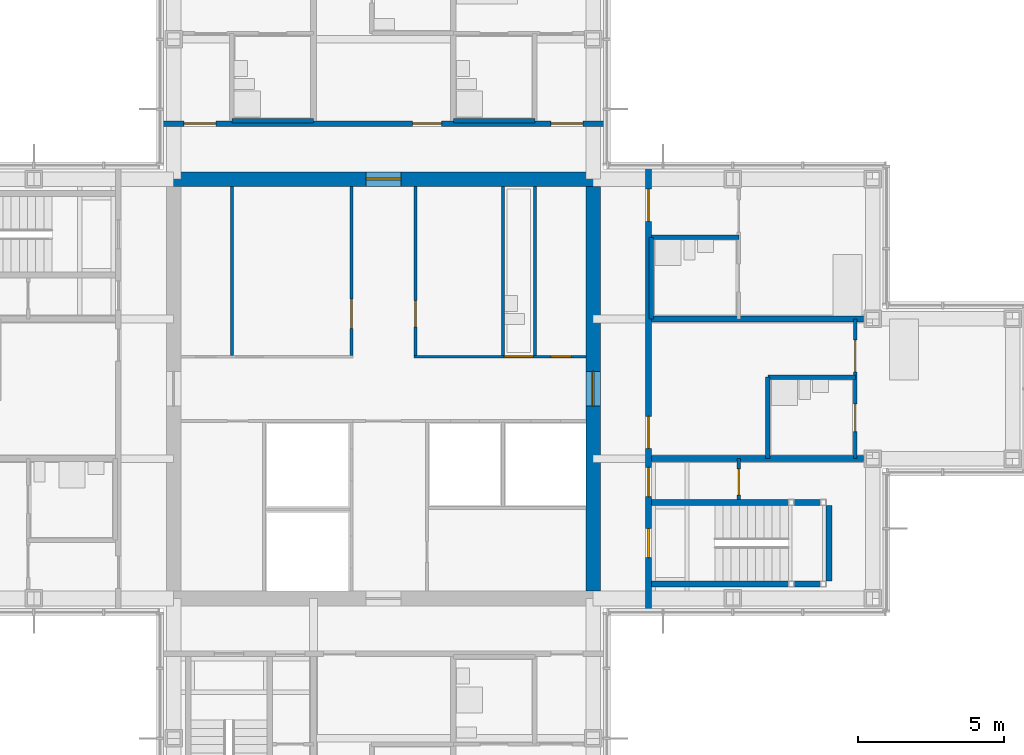
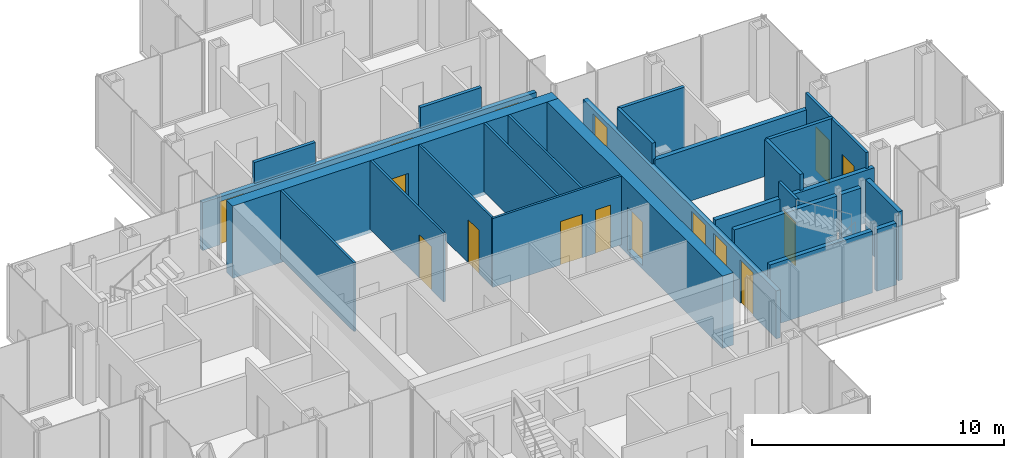
# One storey, part 13 of 17: 25 walls, 16 doors, 16 openings.
"""IFC4 building model written with IfcOpenShell, lengths in metres."""

from ifc_helpers import new_model, si_unit, direction, frame, frame_2d, origin, place, context, subcontext, project, spatial, rectangle, extrude, material, layer, layer_set, type_object, element, fill, save


model = new_model("IFC4")

# Units and contexts
model_context = context("Model", 3, precision=1e-05, world=origin(), true_north=direction((0.0, 1.0)))
body_context = subcontext(model_context, "Body", "Model", "MODEL_VIEW")
ifc_project = project(units=[si_unit("LENGTHUNIT", "METRE"), si_unit("AREAUNIT", "SQUARE_METRE"), si_unit("VOLUMEUNIT", "CUBIC_METRE"), si_unit("PLANEANGLEUNIT", "RADIAN"), si_unit("MASSUNIT", "GRAM", prefix="KILO")], contexts=[model_context])

# Site, building, storey
site_placement = place(None, origin())
site = spatial("IfcSite", under=ifc_project, at=site_placement, CompositionType="ELEMENT")
building_placement = place(site_placement, origin())
building = spatial("IfcBuilding", under=site, at=building_placement, Name="Kvirike Care Tower", CompositionType="ELEMENT")
storey_placement = place(building_placement, frame((0.0, 0.0, 183.0)))
storey = spatial("IfcBuildingStorey", under=building, at=storey_placement, Name="L50", CompositionType="ELEMENT", Elevation=183.0)

# Walls
ifc_material_1 = material(Name="Moisture-resistant board partition", Category="gypsum")
ifc_layer_1 = layer(ifc_material_1, 0.14990234375)
ifc_layer_set_1 = layer_set([ifc_layer_1], Name="BATHROOM WALL 150")
wall_type_1 = type_object("IfcWallType", Name="BATHROOM WALL 150", PredefinedType="PARTITIONING", material=ifc_layer_set_1)
for number, where, z_axis, x_axis, name in (
    (1, (26.800048828125, 45.199951171875, 0.0), (0.0, 0.0, 1.0), (-1.0, 0.0, 0.0), "Bathroom Wall 150 L50"),
    (2, (19.199951171875, 45.199951171875, 0.0), (0.0, 0.0, 1.0), (-1.0, 0.0, 0.0), "Bathroom Wall 150 L50"),
):
    element("IfcWall", number, at=place(storey_placement, frame(where, z_axis=z_axis, x_axis=x_axis)), inside=storey, type_object=wall_type_1, Name=name, PredefinedType="PARTITIONING", context=body_context, shape_type="SweptSolid", body=[
        extrude(rectangle(XDim=2.800048828125, YDim=0.14990234375, at=frame_2d((1.39990234375, 0.0))), origin(), (0.0, 0.0, 1.0), 3.330078125),
    ])
wall_1_placement = place(storey_placement, frame((37.800048828125, 36.39990234375, 0.0), z_axis=(0.0, 0.0, 1.0), x_axis=(-1.0, 0.0, 0.0)))
element("IfcWall", 3, at=wall_1_placement, inside=storey, type_object=wall_type_1, Name="Bathroom Wall 150 L50", PredefinedType="PARTITIONING", context=body_context, shape_type="SweptSolid", body=[
    extrude(rectangle(XDim=3.0, YDim=0.14990234375, at=frame_2d((1.5, 0.0))), origin(), (0.0, 0.0, 1.0), 3.330078125),
])
wall_2_placement = place(storey_placement, frame((34.800048828125, 33.60009765625, 0.0), z_axis=(0.0, 0.0, 1.0), x_axis=(0.0, 1.0, 0.0)))
element("IfcWall", 4, at=wall_2_placement, inside=storey, type_object=wall_type_1, Name="Bathroom Wall 150 L50", PredefinedType="PARTITIONING", context=body_context, shape_type="SweptSolid", body=[
    extrude(rectangle(XDim=2.7998046875, YDim=0.14990234375, at=frame_2d((1.39990234375, 0.0))), origin(), (0.0, 0.0, 1.0), 3.330078125),
])
wall_3_placement = place(storey_placement, frame((33.800048828125, 41.199951171875, 0.0), z_axis=(0.0, 0.0, 1.0), x_axis=(-1.0, 0.0, 0.0)))
element("IfcWall", 5, at=wall_3_placement, inside=storey, type_object=wall_type_1, Name="Bathroom Wall 150 L50", PredefinedType="PARTITIONING", context=body_context, shape_type="SweptSolid", body=[
    extrude(rectangle(XDim=3.0, YDim=0.14990234375, at=frame_2d((1.5, 0.0))), origin(), (0.0, 0.0, 1.0), 3.330078125),
])
wall_4_placement = place(storey_placement, frame((30.800048828125, 38.39990234375, 0.0), z_axis=(0.0, 0.0, 1.0), x_axis=(0.0, 1.0, 0.0)))
element("IfcWall", 6, at=wall_4_placement, inside=storey, type_object=wall_type_1, Name="Bathroom Wall 150 L50", PredefinedType="PARTITIONING", context=body_context, shape_type="SweptSolid", body=[
    extrude(rectangle(XDim=2.800048828125, YDim=0.14990234375, at=frame_2d((1.39990234375, 0.0))), origin(), (0.0, 0.0, 1.0), 3.330078125),
])

# Wall, opening, door
ifc_material_2 = material(Name="Concrete C45/55", Category="concrete")
ifc_layer_2 = layer(ifc_material_2, 0.5)
ifc_layer_set_2 = layer_set([ifc_layer_2], Name="CORE WALL 500 C45-55")
wall_type_2 = type_object("IfcWallType", Name="CORE WALL 500 C45-55", PredefinedType="SHEAR", material=ifc_layer_set_2)
wall_5_placement = place(storey_placement, frame((29.050048828125, 43.199951171875, -0.169921875), z_axis=(0.0, 0.0, 1.0), x_axis=(-1.0, 0.0, 0.0)))
wall_5 = element("IfcWall", 7, at=wall_5_placement, inside=storey, type_object=wall_type_2, Name="Core wall N L50", PredefinedType="SHEAR", context=body_context, shape_type="SweptSolid", body=[
    extrude(rectangle(XDim=14.900146484375, YDim=0.5, at=frame_2d((7.4501953125, 0.0))), origin(), (0.0, 0.0, 1.0), 3.5),
])
opening_1_placement = place(wall_5_placement, frame((6.85009765625, 0.0, 0.169921875)))
opening_1 = element("IfcOpeningElement", 8, at=opening_1_placement, cuts=wall_5, Name="Opening 50-053", PredefinedType="OPENING", context=body_context, shape_type="SweptSolid", body=[
    extrude(rectangle(XDim=1.199951171875, YDim=2.10009765625, at=frame_2d((0.60009765625, 1.050048828125))), frame((0.0, 0.260498046875, 0.0), z_axis=(0.0, -1.0, 0.0), x_axis=(1.0, 0.0, 0.0)), (0.0, 0.0, 1.0), 0.52099609375),
])
ifc_material_3 = material(Name="Timber door set", Category="wood")
door_type_1 = type_object("IfcDoorType", Name="CORE DOOR 1200", OperationType="SINGLE_SWING_LEFT", PredefinedType="DOOR", material=ifc_material_3)
door_1_placement = place(opening_1_placement, origin())
door_1 = element("IfcDoor", 9, at=door_1_placement, inside=storey, type_object=door_type_1, Name="Core door N L50", OperationType="SINGLE_SWING_LEFT", OverallHeight=2.10009765625, OverallWidth=1.199951171875, PredefinedType="DOOR", context=body_context, shape_type="SweptSolid", body=[
    extrude(rectangle(XDim=1.199951171875, YDim=2.10009765625, at=frame_2d((0.60009765625, 1.050048828125))), frame((0.0, 0.02685546875, 0.0), z_axis=(0.0, -1.0, 0.0), x_axis=(1.0, 0.0, 0.0)), (0.0, 0.0, 1.0), 0.053955078125),
])
fill(opening_1, door_1)

wall_6_placement = place(storey_placement, frame((28.800048828125, 29.050048828125, -0.169921875), z_axis=(0.0, 0.0, 1.0), x_axis=(0.0, 1.0, 0.0)))
wall_6 = element("IfcWall", 10, at=wall_6_placement, inside=storey, type_object=wall_type_2, Name="Core wall E L50", PredefinedType="SHEAR", context=body_context, shape_type="SweptSolid", body=[
    extrude(rectangle(XDim=13.89990234375, YDim=0.5, at=frame_2d((6.949951171875, 0.0))), origin(), (0.0, 0.0, 1.0), 3.5),
])
opening_2_placement = place(wall_6_placement, frame((6.35009765625, 0.0, 0.169921875)))
opening_2 = element("IfcOpeningElement", 11, at=opening_2_placement, cuts=wall_6, Name="Opening 50-052", PredefinedType="OPENING", context=body_context, shape_type="SweptSolid", body=[
    extrude(rectangle(XDim=1.199951171875, YDim=2.10009765625, at=frame_2d((0.60009765625, 1.050048828125))), frame((0.0, 0.260498046875, 0.0), z_axis=(0.0, -1.0, 0.0), x_axis=(1.0, 0.0, 0.0)), (0.0, 0.0, 1.0), 0.52099609375),
])
door_2_placement = place(opening_2_placement, origin())
door_2 = element("IfcDoor", 12, at=door_2_placement, inside=storey, type_object=door_type_1, Name="Core door E L50", OperationType="SINGLE_SWING_LEFT", OverallHeight=2.10009765625, OverallWidth=1.199951171875, PredefinedType="DOOR", context=body_context, shape_type="SweptSolid", body=[
    extrude(rectangle(XDim=1.199951171875, YDim=2.10009765625, at=frame_2d((0.60009765625, 1.050048828125))), frame((0.0, 0.02685546875, 0.0), z_axis=(0.0, -1.0, 0.0), x_axis=(1.0, 0.0, 0.0)), (0.0, 0.0, 1.0), 0.053955078125),
])
fill(opening_2, door_2)

# Wall, openings, doors
ifc_material_4 = material(Name="Plasterboard corridor wall", Category="gypsum")
ifc_layer_3 = layer(ifc_material_4, 0.199951171875)
ifc_layer_set_3 = layer_set([ifc_layer_3], Name="CORRIDOR WALL 200")
wall_type_3 = type_object("IfcWallType", Name="CORRIDOR WALL 200", PredefinedType="PARTITIONING", material=ifc_layer_set_3)
wall_7_placement = place(storey_placement, frame((29.25, 45.10009765625, 0.0), z_axis=(0.0, 0.0, 1.0), x_axis=(-1.0, 0.0, 0.0)))
wall_7 = element("IfcWall", 13, at=wall_7_placement, inside=storey, type_object=wall_type_3, Name="Corridor Wall 200 L50", PredefinedType="PARTITIONING", context=body_context, shape_type="SweptSolid", body=[
    extrude(rectangle(XDim=15.300048828125, YDim=0.199951171875, at=frame_2d((7.64990234375, 0.0))), origin(), (0.0, 0.0, 1.0), 2.320068359375),
])
opening_3_placement = place(wall_7_placement, frame((0.800048828125, 0.0, 0.0)))
opening_3 = element("IfcOpeningElement", 14, at=opening_3_placement, cuts=wall_7, Name="Opening 50-025", PredefinedType="OPENING", context=body_context, shape_type="SweptSolid", body=[
    extrude(rectangle(XDim=1.10009765625, YDim=2.10009765625, at=frame_2d((0.550048828125, 1.050048828125))), frame((0.0, 0.110595703125, 0.0), z_axis=(0.0, -1.0, 0.0), x_axis=(1.0, 0.0, 0.0)), (0.0, 0.0, 1.0), 0.220947265625),
])
opening_4_placement = place(wall_7_placement, frame((5.64990234375, 0.0, 0.0)))
opening_4 = element("IfcOpeningElement", 15, at=opening_4_placement, cuts=wall_7, Name="Opening 50-026", PredefinedType="OPENING", context=body_context, shape_type="SweptSolid", body=[
    extrude(rectangle(XDim=1.0, YDim=2.10009765625, at=frame_2d((0.5, 1.050048828125))), frame((0.0, 0.110595703125, 0.0), z_axis=(0.0, -1.0, 0.0), x_axis=(1.0, 0.0, 0.0)), (0.0, 0.0, 1.0), 0.220947265625),
])
opening_5_placement = place(wall_7_placement, frame((13.39990234375, 0.0, 0.0)))
opening_5 = element("IfcOpeningElement", 16, at=opening_5_placement, cuts=wall_7, Name="Opening 50-027", PredefinedType="OPENING", context=body_context, shape_type="SweptSolid", body=[
    extrude(rectangle(XDim=1.10009765625, YDim=2.10009765625, at=frame_2d((0.550048828125, 1.050048828125))), frame((0.0, 0.110595703125, 0.0), z_axis=(0.0, -1.0, 0.0), x_axis=(1.0, 0.0, 0.0)), (0.0, 0.0, 1.0), 0.220947265625),
])
ifc_material_5 = material(Name="Timber door set", Category="wood")
door_type_2 = type_object("IfcDoorType", Name="BEDROOM ENTRANCE DOOR 1100", OperationType="SINGLE_SWING_LEFT", PredefinedType="DOOR", material=ifc_material_5)
door_3_placement = place(opening_3_placement, frame((1.10009765625, 0.0, 0.0), z_axis=(0.0, 0.0, 1.0), x_axis=(-1.0, 0.0, 0.0)))
door_3 = element("IfcDoor", 17, at=door_3_placement, inside=storey, type_object=door_type_2, Name="Memory care bedroom entrance", OperationType="SINGLE_SWING_LEFT", OverallHeight=2.10009765625, OverallWidth=1.10009765625, PredefinedType="DOOR", context=body_context, shape_type="SweptSolid", body=[
    extrude(rectangle(XDim=1.10009765625, YDim=2.10009765625, at=frame_2d((0.550048828125, 1.050048828125))), frame((0.0, 0.02685546875, 0.0), z_axis=(0.0, -1.0, 0.0), x_axis=(1.0, 0.0, 0.0)), (0.0, 0.0, 1.0), 0.053955078125),
])
fill(opening_3, door_3)
door_4_placement = place(opening_5_placement, frame((1.10009765625, 0.0, 0.0), z_axis=(0.0, 0.0, 1.0), x_axis=(-1.0, 0.0, 0.0)))
door_4 = element("IfcDoor", 18, at=door_4_placement, inside=storey, type_object=door_type_2, Name="Memory care bedroom entrance", OperationType="SINGLE_SWING_RIGHT", OverallHeight=2.10009765625, OverallWidth=1.10009765625, PredefinedType="DOOR", context=body_context, shape_type="SweptSolid", body=[
    extrude(rectangle(XDim=1.10009765625, YDim=2.10009765625, at=frame_2d((0.550048828125, 1.050048828125))), frame((0.0, 0.02685546875, 0.0), z_axis=(0.0, -1.0, 0.0), x_axis=(1.0, 0.0, 0.0)), (0.0, 0.0, 1.0), 0.053955078125),
])
fill(opening_5, door_4)
ifc_material_6 = material(Name="Timber door set", Category="wood")
door_type_3 = type_object("IfcDoorType", Name="FLAT ENTRANCE DOOR 1000", OperationType="SINGLE_SWING_LEFT", PredefinedType="DOOR", material=ifc_material_6)
door_5_placement = place(opening_4_placement, frame((1.0, 0.0, 0.0), z_axis=(0.0, 0.0, 1.0), x_axis=(-1.0, 0.0, 0.0)))
door_5 = element("IfcDoor", 19, at=door_5_placement, inside=storey, type_object=door_type_3, Name="Sensory garden room entrance", OperationType="SINGLE_SWING_LEFT", OverallHeight=2.10009765625, OverallWidth=1.0, PredefinedType="DOOR", context=body_context, shape_type="SweptSolid", body=[
    extrude(rectangle(XDim=1.0, YDim=2.10009765625, at=frame_2d((0.5, 1.050048828125))), frame((0.0, 0.02685546875, 0.0), z_axis=(0.0, -1.0, 0.0), x_axis=(1.0, 0.0, 0.0)), (0.0, 0.0, 1.0), 0.053955078125),
])
fill(opening_4, door_5)

wall_8_placement = place(storey_placement, frame((30.699951171875, 28.35009765625, 0.0), z_axis=(0.0, 0.0, 1.0), x_axis=(0.0, 1.0, 0.0)))
wall_8 = element("IfcWall", 20, at=wall_8_placement, inside=storey, type_object=wall_type_3, Name="Corridor Wall 200 L50", PredefinedType="PARTITIONING", context=body_context, shape_type="SweptSolid", body=[
    extrude(rectangle(XDim=15.2998046875, YDim=0.199951171875, at=frame_2d((7.64990234375, 0.0))), origin(), (0.0, 0.0, 1.0), 2.320068359375),
])
opening_6_placement = place(wall_8_placement, frame((1.85009765625, 0.0, 0.0)))
opening_6 = element("IfcOpeningElement", 21, at=opening_6_placement, cuts=wall_8, Name="Opening 50-033", PredefinedType="OPENING", context=body_context, shape_type="SweptSolid", body=[
    extrude(rectangle(XDim=1.0, YDim=2.10009765625, at=frame_2d((0.5, 1.050048828125))), frame((0.0, 0.110595703125, 0.0), z_axis=(0.0, -1.0, 0.0), x_axis=(1.0, 0.0, 0.0)), (0.0, 0.0, 1.0), 0.220947265625),
])
opening_7_placement = place(wall_8_placement, frame((3.949951171875, 0.0, 0.0)))
opening_7 = element("IfcOpeningElement", 22, at=opening_7_placement, cuts=wall_8, Name="Opening 50-034", PredefinedType="OPENING", context=body_context, shape_type="SweptSolid", body=[
    extrude(rectangle(XDim=1.0, YDim=2.10009765625, at=frame_2d((0.5, 1.050048828125))), frame((0.0, 0.110595703125, 0.0), z_axis=(0.0, -1.0, 0.0), x_axis=(1.0, 0.0, 0.0)), (0.0, 0.0, 1.0), 0.220947265625),
])
opening_8_placement = place(wall_8_placement, frame((5.60009765625, 0.0, 0.0)))
opening_8 = element("IfcOpeningElement", 23, at=opening_8_placement, cuts=wall_8, Name="Opening 50-035", PredefinedType="OPENING", context=body_context, shape_type="SweptSolid", body=[
    extrude(rectangle(XDim=1.10009765625, YDim=2.10009765625, at=frame_2d((0.550048828125, 1.050048828125))), frame((0.0, 0.110595703125, 0.0), z_axis=(0.0, -1.0, 0.0), x_axis=(1.0, 0.0, 0.0)), (0.0, 0.0, 1.0), 0.220947265625),
])
opening_9_placement = place(wall_8_placement, frame((13.39990234375, 0.0, 0.0)))
opening_9 = element("IfcOpeningElement", 24, at=opening_9_placement, cuts=wall_8, Name="Opening 50-036", PredefinedType="OPENING", context=body_context, shape_type="SweptSolid", body=[
    extrude(rectangle(XDim=1.10009765625, YDim=2.10009765625, at=frame_2d((0.550048828125, 1.050048828125))), frame((0.0, 0.110595703125, 0.0), z_axis=(0.0, -1.0, 0.0), x_axis=(1.0, 0.0, 0.0)), (0.0, 0.0, 1.0), 0.220947265625),
])
door_6_placement = place(opening_8_placement, frame((1.10009765625, 0.0, 0.0), z_axis=(0.0, 0.0, 1.0), x_axis=(-1.0, 0.0, 0.0)))
door_6 = element("IfcDoor", 25, at=door_6_placement, inside=storey, type_object=door_type_2, Name="Memory care bedroom entrance", OperationType="SINGLE_SWING_LEFT", OverallHeight=2.10009765625, OverallWidth=1.10009765625, PredefinedType="DOOR", context=body_context, shape_type="SweptSolid", body=[
    extrude(rectangle(XDim=1.10009765625, YDim=2.10009765625, at=frame_2d((0.550048828125, 1.050048828125))), frame((0.0, 0.02685546875, 0.0), z_axis=(0.0, -1.0, 0.0), x_axis=(1.0, 0.0, 0.0)), (0.0, 0.0, 1.0), 0.053955078125),
])
fill(opening_8, door_6)
door_7_placement = place(opening_9_placement, frame((1.10009765625, 0.0, 0.0), z_axis=(0.0, 0.0, 1.0), x_axis=(-1.0, 0.0, 0.0)))
door_7 = element("IfcDoor", 26, at=door_7_placement, inside=storey, type_object=door_type_2, Name="Memory care bedroom entrance", OperationType="SINGLE_SWING_RIGHT", OverallHeight=2.10009765625, OverallWidth=1.10009765625, PredefinedType="DOOR", context=body_context, shape_type="SweptSolid", body=[
    extrude(rectangle(XDim=1.10009765625, YDim=2.10009765625, at=frame_2d((0.550048828125, 1.050048828125))), frame((0.0, 0.02685546875, 0.0), z_axis=(0.0, -1.0, 0.0), x_axis=(1.0, 0.0, 0.0)), (0.0, 0.0, 1.0), 0.053955078125),
])
fill(opening_9, door_7)
door_8_placement = place(opening_7_placement, frame((1.0, 0.0, 0.0), z_axis=(0.0, 0.0, 1.0), x_axis=(-1.0, 0.0, 0.0)))
door_8 = element("IfcDoor", 27, at=door_8_placement, inside=storey, type_object=door_type_3, Name="Activity room entrance", OperationType="SINGLE_SWING_LEFT", OverallHeight=2.10009765625, OverallWidth=1.0, PredefinedType="DOOR", context=body_context, shape_type="SweptSolid", body=[
    extrude(rectangle(XDim=1.0, YDim=2.10009765625, at=frame_2d((0.5, 1.050048828125))), frame((0.0, 0.02685546875, 0.0), z_axis=(0.0, -1.0, 0.0), x_axis=(1.0, 0.0, 0.0)), (0.0, 0.0, 1.0), 0.053955078125),
])
fill(opening_7, door_8)
ifc_material_7 = material(Name="Timber door set", Category="wood")
door_type_4 = type_object("IfcDoorType", Name="STAIR DOOR 1000", OperationType="SINGLE_SWING_LEFT", PredefinedType="DOOR", material=ifc_material_7)
door_9_placement = place(opening_6_placement, frame((1.0, 0.0, 0.0), z_axis=(0.0, 0.0, 1.0), x_axis=(-1.0, 0.0, 0.0)))
door_9 = element("IfcDoor", 28, at=door_9_placement, inside=storey, type_object=door_type_4, Name="Stair 2 door", OperationType="SINGLE_SWING_LEFT", OverallHeight=2.10009765625, OverallWidth=1.0, PredefinedType="DOOR", context=body_context, shape_type="SweptSolid", body=[
    extrude(rectangle(XDim=1.0, YDim=2.10009765625, at=frame_2d((0.5, 1.050048828125))), frame((0.0, 0.031982421875, 0.0), z_axis=(0.0, -1.0, 0.0), x_axis=(1.0, 0.0, 0.0)), (0.0, 0.0, 1.0), 0.06396484375),
])
fill(opening_6, door_9)

# Wall, opening, door
ifc_material_8 = material(Name="Plasterboard partition", Category="gypsum")
ifc_layer_4 = layer(ifc_material_8, 0.1201171875)
ifc_layer_set_4 = layer_set([ifc_layer_4], Name="PARTITION 120")
wall_type_4 = type_object("IfcWallType", Name="PARTITION 120", PredefinedType="PARTITIONING", material=ifc_layer_set_4)
wall_9_placement = place(storey_placement, frame((33.800048828125, 32.199951171875, 0.0), z_axis=(0.0, 0.0, 1.0), x_axis=(0.0, 1.0, 0.0)))
wall_9 = element("IfcWall", 29, at=wall_9_placement, inside=storey, type_object=wall_type_4, Name="Partition 120 L50", PredefinedType="PARTITIONING", context=body_context, shape_type="SweptSolid", body=[
    extrude(rectangle(XDim=1.400146484375, YDim=0.1201171875, at=frame_2d((0.7001953125, 0.0))), origin(), (0.0, 0.0, 1.0), 3.330078125),
])
opening_10_placement = place(wall_9_placement, frame((0.14990234375, 0.0, 0.0)))
opening_10 = element("IfcOpeningElement", 30, at=opening_10_placement, cuts=wall_9, Name="Opening 50-028", PredefinedType="OPENING", context=body_context, shape_type="SweptSolid", body=[
    extrude(rectangle(XDim=0.89990234375, YDim=2.10009765625, at=frame_2d((0.449951171875, 1.050048828125))), frame((0.0, 0.070556640625, 0.0), z_axis=(0.0, -1.0, 0.0), x_axis=(1.0, 0.0, 0.0)), (0.0, 0.0, 1.0), 0.14111328125),
])
ifc_material_9 = material(Name="Timber door set", Category="wood")
door_type_5 = type_object("IfcDoorType", Name="INTERNAL DOOR 900", OperationType="SINGLE_SWING_LEFT", PredefinedType="DOOR", material=ifc_material_9)
door_10_placement = place(opening_10_placement, origin())
door_10 = element("IfcDoor", 31, at=door_10_placement, inside=storey, type_object=door_type_5, Name="Activity room door", OperationType="SINGLE_SWING_RIGHT", OverallHeight=2.10009765625, OverallWidth=0.89990234375, PredefinedType="DOOR", context=body_context, shape_type="SweptSolid", body=[
    extrude(rectangle(XDim=0.89990234375, YDim=2.10009765625, at=frame_2d((0.449951171875, 1.050048828125))), frame((0.0, 0.02197265625, 0.0), z_axis=(0.0, -1.0, 0.0), x_axis=(1.0, 0.0, 0.0)), (0.0, 0.0, 1.0), 0.0439453125),
])
fill(opening_10, door_10)

# Wall, openings, doors
wall_10_placement = place(storey_placement, frame((37.800048828125, 33.60009765625, 0.0), z_axis=(0.0, 0.0, 1.0), x_axis=(0.0, 1.0, 0.0)))
wall_10 = element("IfcWall", 32, at=wall_10_placement, inside=storey, type_object=wall_type_4, Name="Partition 120 L50", PredefinedType="PARTITIONING", context=body_context, shape_type="SweptSolid", body=[
    extrude(rectangle(XDim=4.7998046875, YDim=0.1201171875, at=frame_2d((2.39990234375, 0.0))), origin(), (0.0, 0.0, 1.0), 3.330078125),
])
opening_11_placement = place(wall_10_placement, frame((2.97509765625, 0.0, 0.0)))
opening_11 = element("IfcOpeningElement", 33, at=opening_11_placement, cuts=wall_10, Name="Opening 50-029", PredefinedType="OPENING", context=body_context, shape_type="SweptSolid", body=[
    extrude(rectangle(XDim=1.10009765625, YDim=2.10009765625, at=frame_2d((0.550048828125, 1.050048828125))), frame((0.0, 0.070556640625, 0.0), z_axis=(0.0, -1.0, 0.0), x_axis=(1.0, 0.0, 0.0)), (0.0, 0.0, 1.0), 0.14111328125),
])
opening_12_placement = place(wall_10_placement, frame((0.925048828125, 0.0, 0.0)))
opening_12 = element("IfcOpeningElement", 34, at=opening_12_placement, cuts=wall_10, Name="Opening 50-030", PredefinedType="OPENING", context=body_context, shape_type="SweptSolid", body=[
    extrude(rectangle(XDim=0.949951171875, YDim=2.10009765625, at=frame_2d((0.47509765625, 1.050048828125))), frame((0.0, 0.070556640625, 0.0), z_axis=(0.0, -1.0, 0.0), x_axis=(1.0, 0.0, 0.0)), (0.0, 0.0, 1.0), 0.14111328125),
])
ifc_material_10 = material(Name="Timber door set", Category="wood")
door_type_6 = type_object("IfcDoorType", Name="BEDROOM DOOR 1100", OperationType="SINGLE_SWING_LEFT", PredefinedType="DOOR", material=ifc_material_10)
door_11_placement = place(opening_11_placement, origin())
door_11 = element("IfcDoor", 35, at=door_11_placement, inside=storey, type_object=door_type_6, Name="Memory care bedroom door", OperationType="SINGLE_SWING_RIGHT", OverallHeight=2.10009765625, OverallWidth=1.10009765625, PredefinedType="DOOR", context=body_context, shape_type="SweptSolid", body=[
    extrude(rectangle(XDim=1.10009765625, YDim=2.10009765625, at=frame_2d((0.550048828125, 1.050048828125))), frame((0.0, 0.02197265625, 0.0), z_axis=(0.0, -1.0, 0.0), x_axis=(1.0, 0.0, 0.0)), (0.0, 0.0, 1.0), 0.0439453125),
])
fill(opening_11, door_11)
ifc_material_11 = material(Name="Timber door set", Category="wood")
door_type_7 = type_object("IfcDoorType", Name="EN-SUITE SLIDING DOOR 950", OperationType="SLIDING_TO_LEFT", PredefinedType="DOOR", material=ifc_material_11)
door_12_placement = place(opening_12_placement, origin())
door_12 = element("IfcDoor", 36, at=door_12_placement, inside=storey, type_object=door_type_7, Name="En-suite door", OperationType="SLIDING_TO_RIGHT", OverallHeight=2.10009765625, OverallWidth=0.949951171875, PredefinedType="DOOR", context=body_context, shape_type="SweptSolid", body=[
    extrude(rectangle(XDim=0.949951171875, YDim=2.10009765625, at=frame_2d((0.47509765625, 1.050048828125))), frame((0.0, 0.02197265625, 0.0), z_axis=(0.0, -1.0, 0.0), x_axis=(1.0, 0.0, 0.0)), (0.0, 0.0, 1.0), 0.0439453125),
])
fill(opening_12, door_12)

# Walls
ifc_material_12 = material(Name="Plasterboard party wall", Category="gypsum")
ifc_layer_5 = layer(ifc_material_12, 0.199951171875)
ifc_layer_set_5 = layer_set([ifc_layer_5], Name="PARTY WALL 200")
wall_type_5 = type_object("IfcWallType", Name="PARTY WALL 200", PredefinedType="PARTITIONING", material=ifc_layer_set_5)
for number, where, z_axis, x_axis, name in (
    (37, (38.080078125, 33.60009765625, 0.0), (0.0, 0.0, 1.0), (-1.0, 0.0, 0.0), "Party Wall 200 L50"),
    (38, (38.080078125, 38.39990234375, 0.0), (0.0, 0.0, 1.0), (-1.0, 0.0, 0.0), "Party Wall 200 L50"),
):
    element("IfcWall", number, at=place(storey_placement, frame(where, z_axis=z_axis, x_axis=x_axis)), inside=storey, type_object=wall_type_5, Name=name, PredefinedType="PARTITIONING", context=body_context, shape_type="SweptSolid", body=[
        extrude(rectangle(XDim=7.280029296875, YDim=0.199951171875, at=frame_2d((3.64013671875, 0.0))), origin(), (0.0, 0.0, 1.0), 2.550048828125),
    ])
ifc_material_13 = material(Name="Gypsum shaft wall system", Category="gypsum")
ifc_layer_6 = layer(ifc_material_13, 0.10009765625)
ifc_layer_set_6 = layer_set([ifc_layer_6], Name="SHAFT WALL 100")
wall_type_6 = type_object("IfcWallType", Name="SHAFT WALL 100", PredefinedType="SOLIDWALL", material=ifc_layer_set_6)
for number, where, z_axis, x_axis, name in (
    (39, (16.39990234375, 37.14990234375, 0.0), (0.0, 0.0, 1.0), (0.0, 1.0, 0.0), "Shaft Wall 100 L50"),
    (40, (26.800048828125, 37.14990234375, 0.0), (0.0, 0.0, 1.0), (0.0, 1.0, 0.0), "Shaft Wall 100 L50"),
):
    element("IfcWall", number, at=place(storey_placement, frame(where, z_axis=z_axis, x_axis=x_axis)), inside=storey, type_object=wall_type_6, Name=name, PredefinedType="SOLIDWALL", context=body_context, shape_type="SweptSolid", body=[
        extrude(rectangle(XDim=5.800048828125, YDim=0.10009765625, at=frame_2d((2.89990234375, 0.0))), origin(), (0.0, 0.0, 1.0), 3.330078125),
    ])

# Wall, opening, door
wall_11_placement = place(storey_placement, frame((20.5, 37.14990234375, 0.0), z_axis=(0.0, 0.0, 1.0), x_axis=(0.0, 1.0, 0.0)))
wall_11 = element("IfcWall", 41, at=wall_11_placement, inside=storey, type_object=wall_type_6, Name="Shaft Wall 100 L50", PredefinedType="SOLIDWALL", context=body_context, shape_type="SweptSolid", body=[
    extrude(rectangle(XDim=5.800048828125, YDim=0.10009765625, at=frame_2d((2.89990234375, 0.0))), origin(), (0.0, 0.0, 1.0), 3.330078125),
])
opening_13_placement = place(wall_11_placement, frame((0.925048828125, 0.0, 0.0)))
opening_13 = element("IfcOpeningElement", 42, at=opening_13_placement, cuts=wall_11, Name="Opening 50-039", PredefinedType="OPENING", context=body_context, shape_type="SweptSolid", body=[
    extrude(rectangle(XDim=1.0, YDim=2.10009765625, at=frame_2d((0.5, 1.050048828125))), frame((0.0, 0.060546875, 0.0), z_axis=(0.0, -1.0, 0.0), x_axis=(1.0, 0.0, 0.0)), (0.0, 0.0, 1.0), 0.12109375),
])
ifc_material_14 = material(Name="Timber door set", Category="wood")
door_type_8 = type_object("IfcDoorType", Name="WC DOOR 1000", OperationType="SINGLE_SWING_LEFT", PredefinedType="DOOR", material=ifc_material_14)
door_13_placement = place(opening_13_placement, origin())
door_13 = element("IfcDoor", 43, at=door_13_placement, inside=storey, type_object=door_type_8, Name="Staff WC door", OperationType="SINGLE_SWING_RIGHT", OverallHeight=2.10009765625, OverallWidth=1.0, PredefinedType="DOOR", context=body_context, shape_type="SweptSolid", body=[
    extrude(rectangle(XDim=1.0, YDim=2.10009765625, at=frame_2d((0.5, 1.050048828125))), frame((0.0, 0.02685546875, 0.0), z_axis=(0.0, -1.0, 0.0), x_axis=(1.0, 0.0, 0.0)), (0.0, 0.0, 1.0), 0.053955078125),
])
fill(opening_13, door_13)

wall_12_placement = place(storey_placement, frame((22.699951171875, 37.14990234375, 0.0), z_axis=(0.0, 0.0, 1.0), x_axis=(0.0, 1.0, 0.0)))
wall_12 = element("IfcWall", 44, at=wall_12_placement, inside=storey, type_object=wall_type_6, Name="Shaft Wall 100 L50", PredefinedType="SOLIDWALL", context=body_context, shape_type="SweptSolid", body=[
    extrude(rectangle(XDim=5.800048828125, YDim=0.10009765625, at=frame_2d((2.89990234375, 0.0))), origin(), (0.0, 0.0, 1.0), 3.330078125),
])
opening_14_placement = place(wall_12_placement, frame((0.97509765625, 0.0, 0.0)))
opening_14 = element("IfcOpeningElement", 45, at=opening_14_placement, cuts=wall_12, Name="Opening 50-040", PredefinedType="OPENING", context=body_context, shape_type="SweptSolid", body=[
    extrude(rectangle(XDim=0.89990234375, YDim=2.10009765625, at=frame_2d((0.449951171875, 1.050048828125))), frame((0.0, 0.060546875, 0.0), z_axis=(0.0, -1.0, 0.0), x_axis=(1.0, 0.0, 0.0)), (0.0, 0.0, 1.0), 0.12109375),
])
ifc_material_15 = material(Name="Timber door set", Category="wood")
door_type_9 = type_object("IfcDoorType", Name="STORE DOOR 900", OperationType="SINGLE_SWING_LEFT", PredefinedType="DOOR", material=ifc_material_15)
door_14_placement = place(opening_14_placement, frame((0.89990234375, 0.0, 0.0), z_axis=(0.0, 0.0, 1.0), x_axis=(-1.0, 0.0, 0.0)))
door_14 = element("IfcDoor", 46, at=door_14_placement, inside=storey, type_object=door_type_9, Name="Housekeeping office door", OperationType="SINGLE_SWING_LEFT", OverallHeight=2.10009765625, OverallWidth=0.89990234375, PredefinedType="DOOR", context=body_context, shape_type="SweptSolid", body=[
    extrude(rectangle(XDim=0.89990234375, YDim=2.10009765625, at=frame_2d((0.449951171875, 1.050048828125))), frame((0.0, 0.02685546875, 0.0), z_axis=(0.0, -1.0, 0.0), x_axis=(1.0, 0.0, 0.0)), (0.0, 0.0, 1.0), 0.053955078125),
])
fill(opening_14, door_14)

# Wall, openings, doors
wall_13_placement = place(storey_placement, frame((22.64990234375, 37.10009765625, 0.0), z_axis=(0.0, 0.0, 1.0), x_axis=(1.0, 0.0, 0.0)))
wall_13 = element("IfcWall", 47, at=wall_13_placement, inside=storey, type_object=wall_type_6, Name="Shaft Wall 100 L50", PredefinedType="SOLIDWALL", context=body_context, shape_type="SweptSolid", body=[
    extrude(rectangle(XDim=5.900146484375, YDim=0.10009765625, at=frame_2d((2.9501953125, 0.0))), origin(), (0.0, 0.0, 1.0), 3.330078125),
])
opening_15_placement = place(wall_13_placement, frame((3.10009765625, 0.0, 0.0)))
opening_15 = element("IfcOpeningElement", 48, at=opening_15_placement, cuts=wall_13, Name="Opening 50-047", PredefinedType="OPENING", context=body_context, shape_type="SweptSolid", body=[
    extrude(rectangle(XDim=1.0, YDim=2.10009765625, at=frame_2d((0.5, 1.050048828125))), frame((0.0, 0.060546875, 0.0), z_axis=(0.0, -1.0, 0.0), x_axis=(1.0, 0.0, 0.0)), (0.0, 0.0, 1.0), 0.12109375),
])
opening_16_placement = place(wall_13_placement, frame((4.699951171875, 0.0, 0.0)))
opening_16 = element("IfcOpeningElement", 49, at=opening_16_placement, cuts=wall_13, Name="Opening 50-048", PredefinedType="OPENING", context=body_context, shape_type="SweptSolid", body=[
    extrude(rectangle(XDim=0.699951171875, YDim=2.10009765625, at=frame_2d((0.35009765625, 1.050048828125))), frame((0.0, 0.060546875, 0.0), z_axis=(0.0, -1.0, 0.0), x_axis=(1.0, 0.0, 0.0)), (0.0, 0.0, 1.0), 0.12109375),
])
ifc_material_16 = material(Name="Timber door set", Category="wood")
door_type_10 = type_object("IfcDoorType", Name="RISER DOOR 700", OperationType="SINGLE_SWING_LEFT", PredefinedType="DOOR", material=ifc_material_16)
door_15_placement = place(opening_16_placement, origin())
door_15 = element("IfcDoor", 50, at=door_15_placement, inside=storey, type_object=door_type_10, Name="Riser door", OperationType="SINGLE_SWING_LEFT", OverallHeight=2.10009765625, OverallWidth=0.699951171875, PredefinedType="DOOR", context=body_context, shape_type="SweptSolid", body=[
    extrude(rectangle(XDim=0.699951171875, YDim=2.10009765625, at=frame_2d((0.35009765625, 1.050048828125))), frame((0.0, 0.02685546875, 0.0), z_axis=(0.0, -1.0, 0.0), x_axis=(1.0, 0.0, 0.0)), (0.0, 0.0, 1.0), 0.053955078125),
])
fill(opening_16, door_15)
door_16_placement = place(opening_15_placement, origin())
door_16 = element("IfcDoor", 51, at=door_16_placement, inside=storey, type_object=door_type_8, Name="Staff WC door", OperationType="SINGLE_SWING_LEFT", OverallHeight=2.10009765625, OverallWidth=1.0, PredefinedType="DOOR", context=body_context, shape_type="SweptSolid", body=[
    extrude(rectangle(XDim=1.0, YDim=2.10009765625, at=frame_2d((0.5, 1.050048828125))), frame((0.0, 0.02685546875, 0.0), z_axis=(0.0, -1.0, 0.0), x_axis=(1.0, 0.0, 0.0)), (0.0, 0.0, 1.0), 0.053955078125),
])
fill(opening_15, door_16)

# Walls
wall_14_placement = place(storey_placement, frame((25.699951171875, 37.14990234375, 0.0), z_axis=(0.0, 0.0, 1.0), x_axis=(0.0, 1.0, 0.0)))
element("IfcWall", 52, at=wall_14_placement, inside=storey, type_object=wall_type_6, Name="Shaft Wall 100 L50", PredefinedType="SOLIDWALL", context=body_context, shape_type="SweptSolid", body=[
    extrude(rectangle(XDim=5.800048828125, YDim=0.10009765625, at=frame_2d((2.89990234375, 0.0))), origin(), (0.0, 0.0, 1.0), 3.330078125),
])
ifc_material_17 = material(Name="Concrete C40/50", Category="concrete")
ifc_layer_7 = layer(ifc_material_17, 0.199951171875)
ifc_layer_set_7 = layer_set([ifc_layer_7], Name="STAIR WALL 200")
wall_type_7 = type_object("IfcWallType", Name="STAIR WALL 200", PredefinedType="SOLIDWALL", material=ifc_layer_set_7)
wall_15_placement = place(storey_placement, frame((36.60009765625, 29.300048828125, 0.0), z_axis=(0.0, 0.0, 1.0), x_axis=(-1.0, 0.0, 0.0)))
element("IfcWall", 53, at=wall_15_placement, inside=storey, type_object=wall_type_7, Name="Stair Wall 200 L50", PredefinedType="SOLIDWALL", context=body_context, shape_type="SweptSolid", body=[
    extrude(rectangle(XDim=0.900146484375, YDim=0.199951171875, at=frame_2d((0.4501953125, 0.0))), origin(), (0.0, 0.0, 1.0), 2.989990234375),
])
wall_16_placement = place(storey_placement, frame((35.5, 29.300048828125, 0.0), z_axis=(0.0, 0.0, 1.0), x_axis=(-1.0, 0.0, 0.0)))
element("IfcWall", 54, at=wall_16_placement, inside=storey, type_object=wall_type_7, Name="Stair Wall 200 L50", PredefinedType="SOLIDWALL", context=body_context, shape_type="SweptSolid", body=[
    extrude(rectangle(XDim=4.699951171875, YDim=0.199951171875, at=frame_2d((2.35009765625, 0.0))), origin(), (0.0, 0.0, 1.0), 2.989990234375),
])
wall_17_placement = place(storey_placement, frame((36.60009765625, 32.10009765625, 0.0), z_axis=(0.0, 0.0, 1.0), x_axis=(-1.0, 0.0, 0.0)))
element("IfcWall", 55, at=wall_17_placement, inside=storey, type_object=wall_type_7, Name="Stair Wall 200 L50", PredefinedType="SOLIDWALL", context=body_context, shape_type="SweptSolid", body=[
    extrude(rectangle(XDim=0.900146484375, YDim=0.199951171875, at=frame_2d((0.4501953125, 0.0))), origin(), (0.0, 0.0, 1.0), 2.989990234375),
])
wall_18_placement = place(storey_placement, frame((35.5, 32.10009765625, 0.0), z_axis=(0.0, 0.0, 1.0), x_axis=(-1.0, 0.0, 0.0)))
element("IfcWall", 56, at=wall_18_placement, inside=storey, type_object=wall_type_7, Name="Stair Wall 200 L50", PredefinedType="SOLIDWALL", context=body_context, shape_type="SweptSolid", body=[
    extrude(rectangle(XDim=4.699951171875, YDim=0.199951171875, at=frame_2d((2.35009765625, 0.0))), origin(), (0.0, 0.0, 1.0), 2.989990234375),
])
wall_19_placement = place(storey_placement, frame((36.89990234375, 29.39990234375, 0.0), z_axis=(0.0, 0.0, 1.0), x_axis=(0.0, 1.0, 0.0)))
element("IfcWall", 57, at=wall_19_placement, inside=storey, type_object=wall_type_7, Name="Stair Wall 200 L50", PredefinedType="SOLIDWALL", context=body_context, shape_type="SweptSolid", body=[
    extrude(rectangle(XDim=2.60009765625, YDim=0.199951171875, at=frame_2d((1.300048828125, 0.0))), origin(), (0.0, 0.0, 1.0), 3.330078125),
])

save(model, "model.ifc")
